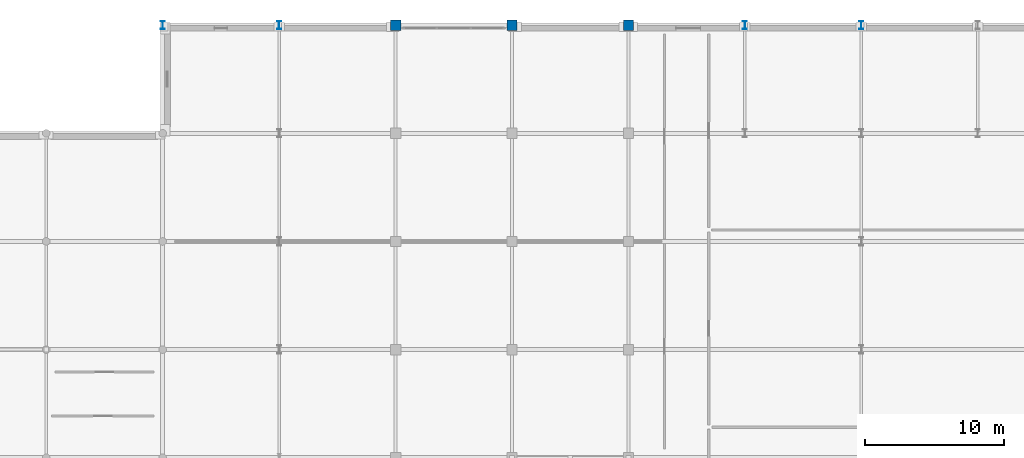
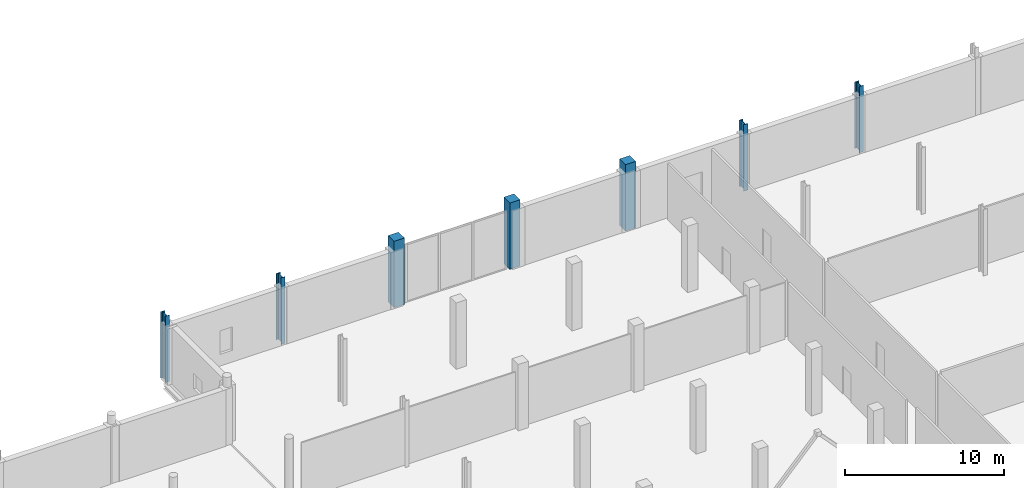
# One storey, part 25 of 105: 7 columns.
"""IFC4 building model written with IfcOpenShell, lengths in metres."""

from ifc_helpers import new_model, si_unit, direction, frame, origin, origin_2d, place, context, subcontext, project, spatial, rectangle, i_section, extrude, material, material_profile, profile_set, type_object, element, save


model = new_model("IFC4")

# Units and contexts
model_context = context("Model", 3, precision=1e-05, world=origin(), true_north=direction((0.0, 1.0)))
body_context = subcontext(model_context, "Body", "Model", "MODEL_VIEW")
ifc_project = project(units=[si_unit("LENGTHUNIT", "METRE"), si_unit("AREAUNIT", "SQUARE_METRE"), si_unit("VOLUMEUNIT", "CUBIC_METRE"), si_unit("PLANEANGLEUNIT", "RADIAN"), si_unit("MASSUNIT", "GRAM", prefix="KILO")], contexts=[model_context])

# Site, building, storey
site_placement = place(None, origin())
site = spatial("IfcSite", under=ifc_project, at=site_placement, CompositionType="ELEMENT")
building_placement = place(site_placement, origin())
building = spatial("IfcBuilding", under=site, at=building_placement, Name="Nabrawat Pavilion Hospital", CompositionType="ELEMENT")
storey_placement = place(building_placement, frame((0.0, 0.0, 5.10009765625)))
storey = spatial("IfcBuildingStorey", under=building, at=storey_placement, Name="L01", CompositionType="ELEMENT", Elevation=5.10009765625)

# Columns
ifc_material_1 = material(Name="Steel S355", Category="steel")
ifc_material_profile_1 = material_profile(ifc_material_1, i_section(OverallWidth=0.300048828125, OverallDepth=0.60009765625, WebThickness=0.015380859375, FlangeThickness=0.030029296875, FilletRadius=0.027099609375, at=origin_2d()), Name="HEB 600")
ifc_profile_set_1 = profile_set([ifc_material_profile_1], Name="Steel S355")
column_type_1 = type_object("IfcColumnType", Name="Composite Steel Column HEB 600", PredefinedType="COLUMN", material=ifc_profile_set_1)
for number, where, z_axis, x_axis, name in (
    (1, (126.0, 124.800048828125, 0.0), (0.0, 0.0, 1.0), (1.0, 0.0, 0.0), "L01 Structural Column G-16A-S"),
    (2, (134.39990234375, 124.800048828125, 0.0), (0.0, 0.0, 1.0), (1.0, 0.0, 0.0), "L01 Structural Column G-17-S"),
    (3, (168.0, 124.800048828125, 0.0), (0.0, 0.0, 1.0), (1.0, 0.0, 0.0), "L01 Structural Column G-21-S"),
    (4, (176.39990234375, 124.800048828125, 0.0), (0.0, 0.0, 1.0), (1.0, 0.0, 0.0), "L01 Structural Column G-22-S"),
):
    element("IfcColumn", number, at=place(storey_placement, frame(where, z_axis=z_axis, x_axis=x_axis)), inside=storey, type_object=column_type_1, Name=name, PredefinedType="COLUMN", context=body_context, shape_type="SweptSolid", body=[
        extrude(i_section(OverallWidth=0.300048828125, OverallDepth=0.60009765625, WebThickness=0.015380859375, FlangeThickness=0.030029296875, FilletRadius=0.027099609375, at=origin_2d()), origin(), (0.0, 0.0, 1.0), 5.099853515625),
    ])
ifc_material_2 = material(Name="Concrete C40/50", Category="concrete")
ifc_material_profile_2 = material_profile(ifc_material_2, rectangle(XDim=0.75, YDim=0.75, at=origin_2d()), Name="RC 750x750")
ifc_profile_set_2 = profile_set([ifc_material_profile_2], Name="Concrete C40/50")
column_type_2 = type_object("IfcColumnType", Name="Surgical Suite RC Column 750x750", PredefinedType="COLUMN", material=ifc_profile_set_2)
for number, where, z_axis, x_axis, name in (
    (5, (142.800048828125, 124.800048828125, 0.0), (0.0, 0.0, 1.0), (1.0, 0.0, 0.0), "L01 Structural Column G-18-S"),
    (6, (151.199951171875, 124.800048828125, 0.0), (0.0, 0.0, 1.0), (1.0, 0.0, 0.0), "L01 Structural Column G-19-S"),
    (7, (159.60009765625, 124.800048828125, 0.0), (0.0, 0.0, 1.0), (1.0, 0.0, 0.0), "L01 Structural Column G-20-S"),
):
    element("IfcColumn", number, at=place(storey_placement, frame(where, z_axis=z_axis, x_axis=x_axis)), inside=storey, type_object=column_type_2, Name=name, PredefinedType="COLUMN", context=body_context, shape_type="SweptSolid", body=[
        extrude(rectangle(XDim=0.75, YDim=0.75, at=origin_2d()), origin(), (0.0, 0.0, 1.0), 5.099853515625),
    ])

save(model, "model.ifc")
